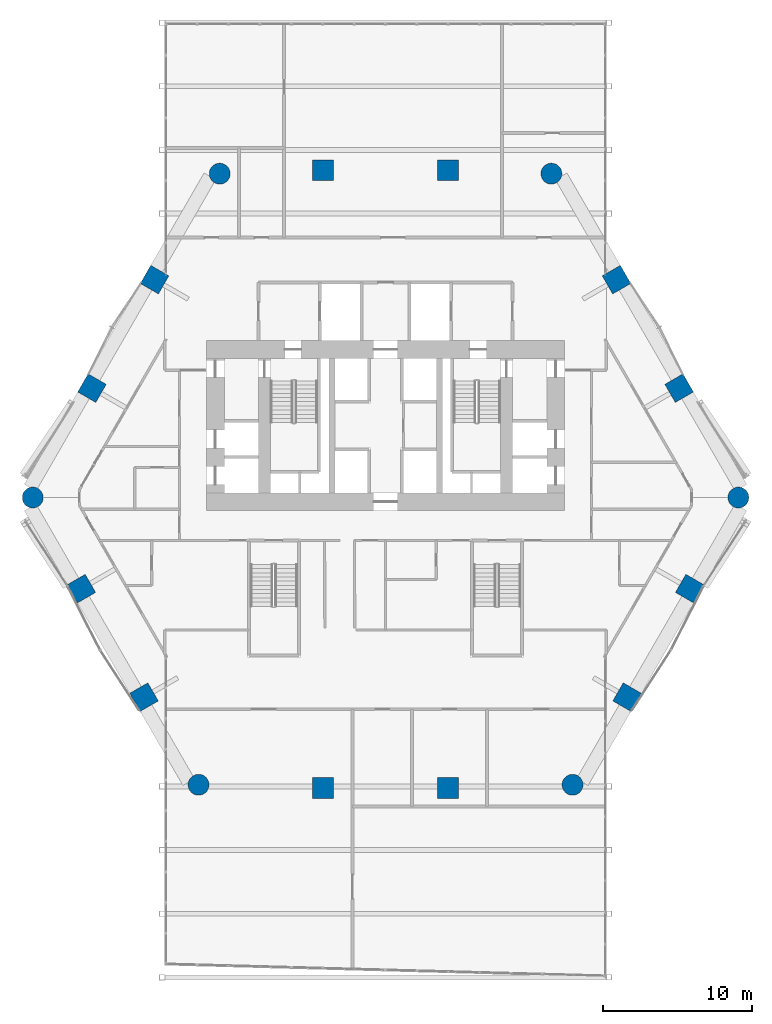
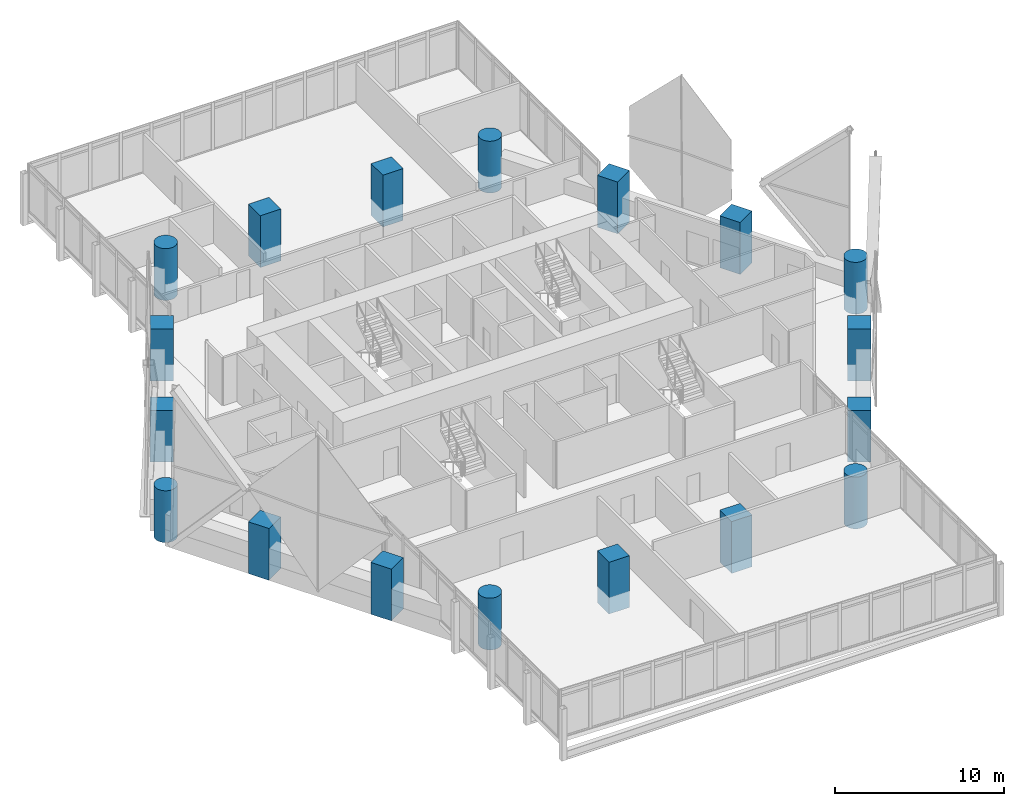
# One storey, part 1 of 35: 18 columns.
"""IFC4 building model written with IfcOpenShell, lengths in metres."""

import ifcopenshell
import ifcopenshell.guid

model = None  # the IFC model being written
_history = None  # IfcOwnerHistory: only IFC2X3 demands one
_inside = {}  # id of a spatial element -> (the spatial element, [elements in it])
_under = {}  # id of a project, library or spatial element -> (it, [spatial elements below it])
_declared = {}  # id of a project -> (the project, [libraries it declares])
_typed = {}  # id of a type object -> (the type object, [elements of that type])
_made_of = {}  # id of a material, layer set ... -> (it, [elements and type objects made of it])


def new_model(schema):
    """Start an empty IFC model of exactly this schema.

    Asked for "IFC4X3", IfcOpenShell would pick the latest addendum, in which some entities
    have other attributes; the version numbers below select the first issue.
    IFC2X3 requires an IfcOwnerHistory on every rooted entity: one is made here for all.
    """
    global model, _history
    if schema == "IFC4X3":
        model = ifcopenshell.file(schema_version=(4, 3, 0, 0))
    else:
        model = ifcopenshell.file(schema=schema)
    _inside.clear()
    _under.clear()
    _declared.clear()
    _typed.clear()
    _made_of.clear()
    _history = None
    if model.schema == "IFC2X3":
        org = make("IfcOrganization", Name="unknown")
        user = make(
            "IfcPersonAndOrganization",
            ThePerson=make("IfcPerson", FamilyName="unknown"),
            TheOrganization=org,
        )
        app = make(
            "IfcApplication",
            ApplicationDeveloper=org,
            Version="unknown",
            ApplicationFullName="unknown",
            ApplicationIdentifier="unknown",
        )
        _history = make(
            "IfcOwnerHistory",
            OwningUser=user,
            OwningApplication=app,
            ChangeAction="ADDED",
            CreationDate=0,
        )
    return model


def make(cls, **values):
    """One entity of the class cls with the attributes given. An attribute that is None is left unset."""
    return model.create_entity(
        cls, **{name: value for name, value in values.items() if value is not None}
    )


def rooted(cls, **values):
    """An entity with a GlobalId (a new one), such as an element, a storey or a relation."""
    return make(cls, GlobalId=ifcopenshell.guid.new(), OwnerHistory=_history, **values)


def si_unit(unit_type, name, prefix=None):
    """IfcSIUnit, for example si_unit("LENGTHUNIT", "METRE", prefix="MILLI")."""
    return make("IfcSIUnit", UnitType=unit_type, Prefix=prefix, Name=name)


def assignment(units):
    """IfcUnitAssignment: the units of a project."""
    return None if units is None else make("IfcUnitAssignment", Units=units)


def point(xyz):
    """IfcCartesianPoint."""
    return None if xyz is None else make("IfcCartesianPoint", Coordinates=xyz)


def direction(xyz):
    """IfcDirection."""
    return None if xyz is None else make("IfcDirection", DirectionRatios=xyz)


def frame(location, z_axis=None, x_axis=None):
    """IfcAxis2Placement3D, a coordinate frame: its origin and axes. An axis left out is left unset."""
    return make(
        "IfcAxis2Placement3D",
        Location=point(location),
        Axis=direction(z_axis),
        RefDirection=direction(x_axis),
    )


def frame_2d(location, x_axis=None):
    """IfcAxis2Placement2D, a coordinate frame in the plane: its origin and x axis."""
    return make(
        "IfcAxis2Placement2D", Location=point(location), RefDirection=direction(x_axis)
    )


def origin():
    """The frame at (0, 0, 0) with its axes left unset."""
    return frame((0.0, 0.0, 0.0))


def origin_2d():
    """The frame at (0, 0) in the plane with its x axis left unset."""
    return frame_2d((0.0, 0.0))


def place(relative_to, where):
    """IfcLocalPlacement: puts the frame where relative to a parent placement (None: the world)."""
    return make(
        "IfcLocalPlacement", PlacementRelTo=relative_to, RelativePlacement=where
    )


def context(
    kind, dimensions, precision=None, world=None, true_north=None, identifier=None
):
    """IfcGeometricRepresentationContext, for example the 3D "Model" context."""
    return make(
        "IfcGeometricRepresentationContext",
        ContextIdentifier=identifier,
        ContextType=kind,
        CoordinateSpaceDimension=dimensions,
        Precision=precision,
        WorldCoordinateSystem=world,
        TrueNorth=true_north,
    )


def subcontext(parent, identifier, kind, view, scale=None):
    """IfcGeometricRepresentationSubContext, for example "Body" below "Model"."""
    return make(
        "IfcGeometricRepresentationSubContext",
        ContextIdentifier=identifier,
        ContextType=kind,
        ParentContext=parent,
        TargetScale=scale,
        TargetView=view,
    )


def project(units=None, contexts=None):
    """IfcProject with its units and contexts."""
    return rooted(
        "IfcProject",
        Name="project",
        RepresentationContexts=contexts,
        UnitsInContext=assignment(units),
    )


def spatial(cls, under=None, at=None, **own):
    """A site, building, storey or space (cls), placed at a placement, below another one or the project."""
    s = rooted(cls, ObjectPlacement=at, **own)
    if under is not None:
        _under.setdefault(under.id(), (under, []))[1].append(s)
    return s


def profile(cls, at=None, kind="AREA", **sizes):
    """A parametric profile (cls). Its sizes go by their IFC names, for example OverallWidth=200.0."""
    return make(cls, ProfileType=kind, Position=at, **sizes)


def rectangle(**sizes):
    """IfcRectangleProfileDef."""
    return profile("IfcRectangleProfileDef", **sizes)


def circle(**sizes):
    """IfcCircleProfileDef."""
    return profile("IfcCircleProfileDef", **sizes)


def extrude(swept, where, along, depth):
    """IfcExtrudedAreaSolid: the profile swept, set in the frame where, extruded along a direction by depth."""
    return make(
        "IfcExtrudedAreaSolid",
        SweptArea=swept,
        Position=where,
        ExtrudedDirection=direction(along),
        Depth=depth,
    )


def shape(context_of_items, identifier, shape_type, items):
    """IfcShapeRepresentation: the items that make up one representation, for example the "Body"."""
    return make(
        "IfcShapeRepresentation",
        ContextOfItems=context_of_items,
        RepresentationIdentifier=identifier,
        RepresentationType=shape_type,
        Items=items,
    )


def material(Name=None, Category=None):
    """IfcMaterial."""
    return make("IfcMaterial", Name=Name, Category=Category)


def material_profile(
    of_material, cross_section, Name=None, Category=None, Priority=None
):
    """IfcMaterialProfile: a cross section and its material."""
    return make(
        "IfcMaterialProfile",
        Name=Name,
        Material=of_material,
        Profile=cross_section,
        Priority=Priority,
        Category=Category,
    )


def profile_set(profiles, Name=None, composite=None):
    """IfcMaterialProfileSet."""
    return make(
        "IfcMaterialProfileSet",
        Name=Name,
        MaterialProfiles=profiles,
        CompositeProfile=composite,
    )


def made_of(thing, what):
    """Note that an element or type object is made of a material, layer set ...; save() writes the relation."""
    if what is not None:
        _made_of.setdefault(what.id(), (what, []))[1].append(thing)
    return thing


def type_object(cls, material=None, **own):
    """A type object (cls), such as IfcWallType, which elements share."""
    return made_of(rooted(cls, **own), material)


def element(
    cls,
    number,
    at=None,
    inside=None,
    cuts=None,
    type_object=None,
    material=None,
    context=None,
    identifier="Body",
    shape_type=None,
    held_by="IfcProductDefinitionShape",
    body=None,
    shapes=None,
    **own,
):
    """One element of the class cls, such as IfcWall. Its Tag is "e" and its number.

    at: its placement. inside: the storey or other place that contains it. cuts: it is an
    opening in that element (IfcRelVoidsElement). A single representation is given by context,
    identifier, shape_type and body (its items); several are given by shapes. held_by: the class
    of the entity that holds the representations. save() writes the other relations.
    """
    e = rooted(cls, Tag="e%d" % number, ObjectPlacement=at, **own)
    if body is not None:
        shapes = [shape(context, identifier, shape_type, body)]
    if shapes is not None:
        e.Representation = make(held_by, Representations=shapes)
    if inside is not None:
        _inside.setdefault(inside.id(), (inside, []))[1].append(e)
    if cuts is not None:
        rooted(
            "IfcRelVoidsElement", RelatingBuildingElement=cuts, RelatedOpeningElement=e
        )
    if type_object is not None:
        _typed.setdefault(type_object.id(), (type_object, []))[1].append(e)
    return made_of(e, material)


def aggregate(whole, parts):
    """IfcRelAggregates: a whole, such as a stair, and the parts it consists of."""
    return rooted("IfcRelAggregates", RelatingObject=whole, RelatedObjects=parts)


def save(model, path):
    """Write the relations noted so far, then the file.

    IfcRelAggregates (storeys below a building ...), IfcRelContainedInSpatialStructure (elements
    in a storey), IfcRelDefinesByType, IfcRelAssociatesMaterial and IfcRelDeclares: one each for
    every whole, place, type object, material and project.
    """
    for whole, parts in _under.values():
        aggregate(whole, parts)
    for where, things in _inside.values():
        rooted(
            "IfcRelContainedInSpatialStructure",
            RelatedElements=things,
            RelatingStructure=where,
        )
    for kind, things in _typed.values():
        rooted("IfcRelDefinesByType", RelatedObjects=things, RelatingType=kind)
    for what, things in _made_of.values():
        rooted("IfcRelAssociatesMaterial", RelatedObjects=things, RelatingMaterial=what)
    for by, libraries in _declared.values():
        rooted("IfcRelDeclares", RelatingContext=by, RelatedDefinitions=libraries)
    model.write(path)


model = new_model("IFC4")

# Units and contexts
model_context = context("Model", 3, precision=1e-05, world=origin(), true_north=direction((0.0, 1.0)))
body_context = subcontext(model_context, "Body", "Model", "MODEL_VIEW")
ifc_project = project(units=[si_unit("LENGTHUNIT", "METRE"), si_unit("AREAUNIT", "SQUARE_METRE"), si_unit("VOLUMEUNIT", "CUBIC_METRE"), si_unit("PLANEANGLEUNIT", "RADIAN"), si_unit("MASSUNIT", "GRAM", prefix="KILO")], contexts=[model_context])

# Site, building, storey
site_placement = place(None, origin())
site = spatial("IfcSite", under=ifc_project, at=site_placement, CompositionType="ELEMENT")
building_placement = place(site_placement, origin())
building = spatial("IfcBuilding", under=site, at=building_placement, Name="Ostrander Bayou Hotel Tower", CompositionType="ELEMENT")
storey_placement = place(building_placement, frame((0.0, 0.0, 69.25)))
storey = spatial("IfcBuildingStorey", under=building, at=storey_placement, Name="L17", CompositionType="ELEMENT", Elevation=69.25)

# Columns
ifc_material_1 = material(Name="Concrete f'c 70 MPa", Category="concrete")
ifc_material_profile_1 = material_profile(ifc_material_1, circle(Radius=0.699951171875, at=origin_2d()))
ifc_profile_set_1 = profile_set([ifc_material_profile_1], Name="Concrete f'c 70 MPa")
column_type_1 = type_object("IfcColumnType", Name="C1 round column 1400 mm f'c 70 MPa", PredefinedType="COLUMN", material=ifc_profile_set_1)
for number, where, z_axis, x_axis, name in (
    (1, (-11.105712890625, 20.872314453125, -1.199951171875), (0.0, 0.0, 1.0), (1.0, 0.0, 0.0), "C1 L17 K0"),
    (2, (-23.62890625, -0.818359375, -1.199951171875), (0.0, 0.0, 1.0), (1.0, 0.0, 0.0), "C1 L17 K1"),
    (3, (-12.52294921875, -20.053955078125, -1.199951171875), (0.0, 0.0, 1.0), (1.0, 0.0, 0.0), "C1 L17 K2"),
    (4, (12.52294921875, -20.053955078125, -1.199951171875), (0.0, 0.0, 1.0), (1.0, 0.0, 0.0), "C1 L17 K3"),
    (5, (23.62890625, -0.818359375, -1.199951171875), (0.0, 0.0, 1.0), (1.0, 0.0, 0.0), "C1 L17 K4"),
    (6, (11.105712890625, 20.872314453125, -1.199951171875), (0.0, 0.0, 1.0), (1.0, 0.0, 0.0), "C1 L17 K5"),
):
    element("IfcColumn", number, at=place(storey_placement, frame(where, z_axis=z_axis, x_axis=x_axis)), inside=storey, type_object=column_type_1, Name=name, PredefinedType="COLUMN", context=body_context, shape_type="SweptSolid", body=[
        extrude(circle(Radius=0.699951171875, at=origin_2d()), origin(), (0.0, 0.0, 1.0), 3.75),
    ])
ifc_material_2 = material(Name="Concrete f'c 70 MPa", Category="concrete")
ifc_material_profile_2 = material_profile(ifc_material_2, rectangle(XDim=1.39990234375, YDim=1.39990234375, at=origin_2d()))
ifc_profile_set_2 = profile_set([ifc_material_profile_2], Name="Concrete f'c 70 MPa")
column_type_2 = type_object("IfcColumnType", Name="C2 square column 1400 x 1400 mm f'c 70 MPa", PredefinedType="COLUMN", material=ifc_profile_set_2)
for number, where, z_axis, x_axis, name in (
    (7, (4.1953125, 21.10009765625, -1.199951171875), (0.0, 0.0, 1.0), (1.0, 0.0, 0.0), "C2 L17 N1"),
    (8, (-4.1953125, 21.10009765625, -1.199951171875), (0.0, 0.0, 1.0), (1.0, 0.0, 0.0), "C2 L17 N2"),
    (9, (-15.466796875, 13.774169921875, -1.199951171875), (0.0, 0.0, 1.0), (0.5, 0.866025403784, 0.0), "C2 L17 NW1"),
    (10, (-19.662109375, 6.507568359375, -1.199951171875), (0.0, 0.0, 1.0), (0.5, 0.866025403784, 0.0), "C2 L17 NW2"),
    (11, (-20.370849609375, -6.916748046875, -1.199951171875), (0.0, 0.0, 1.0), (-0.5, 0.866025403784, 0.0), "C2 L17 SW1"),
    (12, (-16.17529296875, -14.183349609375, -1.199951171875), (0.0, 0.0, 1.0), (-0.5, 0.866025403784, 0.0), "C2 L17 SW2"),
    (13, (-4.1953125, -20.28173828125, -1.199951171875), (0.0, 0.0, 1.0), (-1.0, 0.0, 0.0), "C2 L17 S1"),
    (14, (4.1953125, -20.28173828125, -1.199951171875), (0.0, 0.0, 1.0), (-1.0, 0.0, 0.0), "C2 L17 S2"),
    (15, (16.17529296875, -14.183349609375, -1.199951171875), (0.0, 0.0, 1.0), (-0.5, -0.866025403784, 0.0), "C2 L17 SE1"),
    (16, (20.370849609375, -6.916748046875, -1.199951171875), (0.0, 0.0, 1.0), (-0.5, -0.866025403784, 0.0), "C2 L17 SE2"),
    (17, (19.662109375, 6.507568359375, -1.199951171875), (0.0, 0.0, 1.0), (0.5, -0.866025403784, 0.0), "C2 L17 NE1"),
    (18, (15.466796875, 13.774169921875, -1.199951171875), (0.0, 0.0, 1.0), (0.5, -0.866025403784, 0.0), "C2 L17 NE2"),
):
    element("IfcColumn", number, at=place(storey_placement, frame(where, z_axis=z_axis, x_axis=x_axis)), inside=storey, type_object=column_type_2, Name=name, PredefinedType="COLUMN", context=body_context, shape_type="SweptSolid", body=[
        extrude(rectangle(XDim=1.39990234375, YDim=1.39990234375, at=origin_2d()), origin(), (0.0, 0.0, 1.0), 3.75),
    ])

save(model, "model.ifc")
